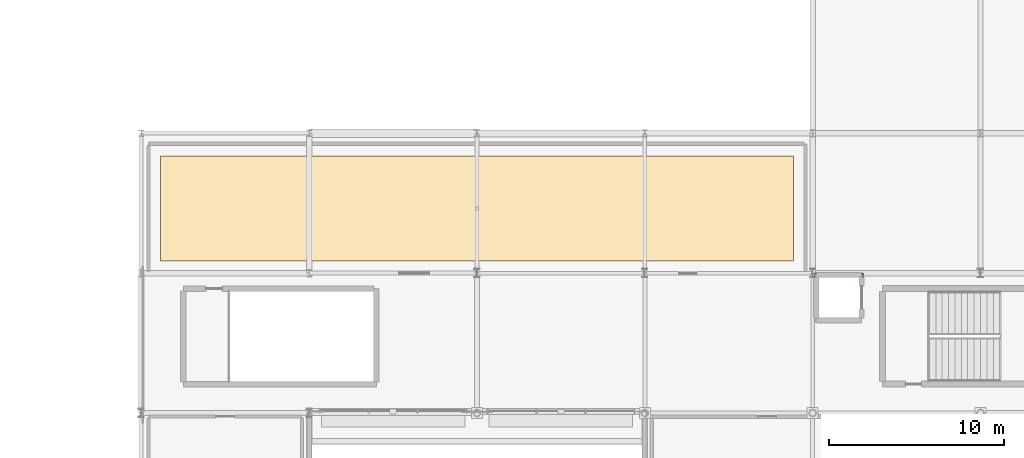
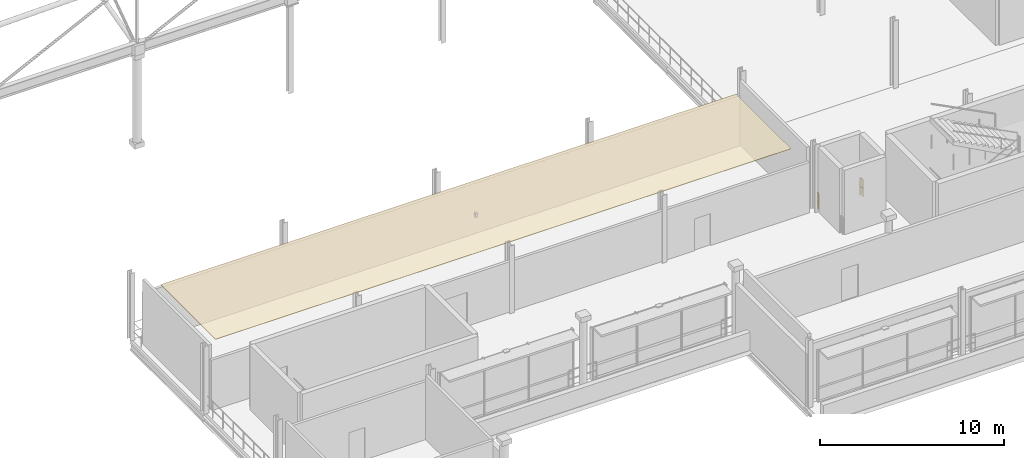
# One storey, part 185 of 193: 2 railings, 1 covering.
"""IFC4 building model written with IfcOpenShell, lengths in metres."""

from ifc_helpers import new_model, si_unit, direction, frame, origin, origin_2d, place, context, subcontext, project, spatial, polyline, circle, outline, extrude, material, layer, layer_set, type_object, element, save


model = new_model("IFC4")

# Units and contexts
model_context = context("Model", 3, precision=1e-05, world=origin(), true_north=direction((0.0, 1.0)))
body_context = subcontext(model_context, "Body", "Model", "MODEL_VIEW")
ifc_project = project(units=[si_unit("LENGTHUNIT", "METRE"), si_unit("AREAUNIT", "SQUARE_METRE"), si_unit("VOLUMEUNIT", "CUBIC_METRE"), si_unit("PLANEANGLEUNIT", "RADIAN"), si_unit("MASSUNIT", "GRAM", prefix="KILO")], contexts=[model_context])

# Site, building, storey
site_placement = place(None, origin())
site = spatial("IfcSite", under=ifc_project, at=site_placement, CompositionType="ELEMENT")
building_placement = place(site_placement, origin())
building = spatial("IfcBuilding", under=site, at=building_placement, Name="Danafjord Basin Convention Centre", CompositionType="ELEMENT")
storey_placement = place(building_placement, frame((0.0, 0.0, 11.39990234375)))
storey = spatial("IfcBuildingStorey", under=building, at=storey_placement, Name="L02", CompositionType="ELEMENT", Elevation=11.39990234375)

# Covering
ifc_material_1 = material(Name="Acoustic mineral-fibre tile ceiling")
ifc_layer = layer(ifc_material_1, 0.030029296875)
ifc_layer_set = layer_set([ifc_layer], Name="Acoustic mineral-fibre tile ceiling")
covering_type = type_object("IfcCoveringType", Name="COV-CLG-GYP01", PredefinedType="CEILING", material=ifc_layer_set)
covering_placement = place(storey_placement, frame((0.0, 0.0, 4.0)))
element("IfcCovering", 1, at=covering_placement, inside=storey, type_object=covering_type, Name="Danafjord Delegate Dining Restaurant acoustic ceiling", PredefinedType="CEILING", context=body_context, shape_type="SweptSolid", body=[
    extrude(outline(polyline([(181.300048828125, 22.699951171875), (181.300048828125, 16.699951171875), (145.10009765625, 16.699951171875), (145.10009765625, 22.699951171875), (181.300048828125, 22.699951171875)])), origin(), (0.0, 0.0, 1.0), 0.030029296875),
])

# Railings
ifc_material_2 = material(Name="Laminated structural glass and stainless steel", Category="steel")
railing_type_1 = type_object("IfcRailingType", Name="RL-BAL-GLS", PredefinedType="BALUSTRADE", material=ifc_material_2)
railing_1_placement = place(storey_placement, frame((182.60009765625, 15.97998046875, 0.0)))
element("IfcRailing", 2, at=railing_1_placement, inside=storey, type_object=railing_type_1, Name="L02 safety guard balustrade 146", PredefinedType="BALUSTRADE", context=body_context, shape_type="SweptSolid", body=[
    extrude(circle(Radius=0.02392578125, at=origin_2d()), frame((0.0, 0.0, 1.1259765625), z_axis=(-1.0, 0.0, 0.0), x_axis=(0.0, -1.0, 0.0)), (0.0, 0.0, 1.0), 0.080078125),
    extrude(circle(Radius=0.02392578125, at=origin_2d()), frame((0.0, 0.0, 0.55078125), z_axis=(-1.0, 0.0, 0.0), x_axis=(0.0, -1.0, 0.0)), (0.0, 0.0, 1.0), 0.080078125),
    extrude(circle(Radius=0.02392578125, at=origin_2d()), frame((-0.080078125, 0.0, 1.1259765625), z_axis=(0.0, -1.0, 0.0), x_axis=(1.0, 0.0, 0.0)), (0.0, 0.0, 1.0), 0.215087890625),
    extrude(circle(Radius=0.02392578125, at=origin_2d()), frame((-0.080078125, 0.0, 0.55078125), z_axis=(0.0, -1.0, 0.0), x_axis=(1.0, 0.0, 0.0)), (0.0, 0.0, 1.0), 0.215087890625),
    extrude(circle(Radius=0.02099609375, at=origin_2d()), origin(), (0.0, 0.0, 1.0), 1.099853515625),
    extrude(circle(Radius=0.02099609375, at=origin_2d()), frame((-0.080078125, 0.0, 0.0)), (0.0, 0.0, 1.0), 1.099853515625),
    extrude(circle(Radius=0.02099609375, at=origin_2d()), frame((-0.080078125, -0.215087890625, 0.0)), (0.0, 0.0, 1.0), 1.099853515625),
])
ifc_material_3 = material(Name="Galvanised and powder-coated steel S355", Category="steel")
railing_type_2 = type_object("IfcRailingType", Name="RL-BAL-STL", PredefinedType="BALUSTRADE", material=ifc_material_3)
railing_2_placement = place(storey_placement, frame((185.280029296875, 15.764892578125, 0.0)))
element("IfcRailing", 3, at=railing_2_placement, inside=storey, type_object=railing_type_2, Name="L02 safety guard balustrade 145", PredefinedType="BALUSTRADE", context=body_context, shape_type="SweptSolid", body=[
    extrude(circle(Radius=0.02392578125, at=origin_2d()), frame((0.0, 0.0, 1.1259765625), z_axis=(0.0, 1.0, 0.0), x_axis=(-1.0, 0.0, 0.0)), (0.0, 0.0, 1.0), 0.215087890625),
    extrude(circle(Radius=0.02392578125, at=origin_2d()), frame((0.0, 0.0, 0.55078125), z_axis=(0.0, 1.0, 0.0), x_axis=(-1.0, 0.0, 0.0)), (0.0, 0.0, 1.0), 0.215087890625),
    extrude(circle(Radius=0.02392578125, at=origin_2d()), frame((0.0, 0.215087890625, 1.1259765625), z_axis=(-1.0, 0.0, 0.0), x_axis=(0.0, -1.0, 0.0)), (0.0, 0.0, 1.0), 0.080078125),
    extrude(circle(Radius=0.02392578125, at=origin_2d()), frame((0.0, 0.215087890625, 0.55078125), z_axis=(-1.0, 0.0, 0.0), x_axis=(0.0, -1.0, 0.0)), (0.0, 0.0, 1.0), 0.080078125),
    extrude(circle(Radius=0.02099609375, at=origin_2d()), origin(), (0.0, 0.0, 1.0), 1.099853515625),
    extrude(circle(Radius=0.02099609375, at=origin_2d()), frame((0.0, 0.215087890625, 0.0)), (0.0, 0.0, 1.0), 1.099853515625),
    extrude(circle(Radius=0.02099609375, at=origin_2d()), frame((-0.080078125, 0.215087890625, 0.0)), (0.0, 0.0, 1.0), 1.099853515625),
])

save(model, "model.ifc")
